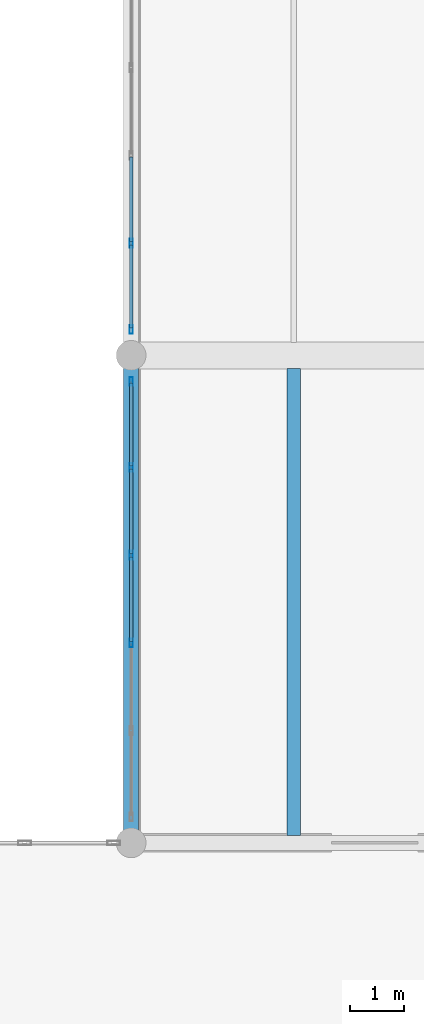
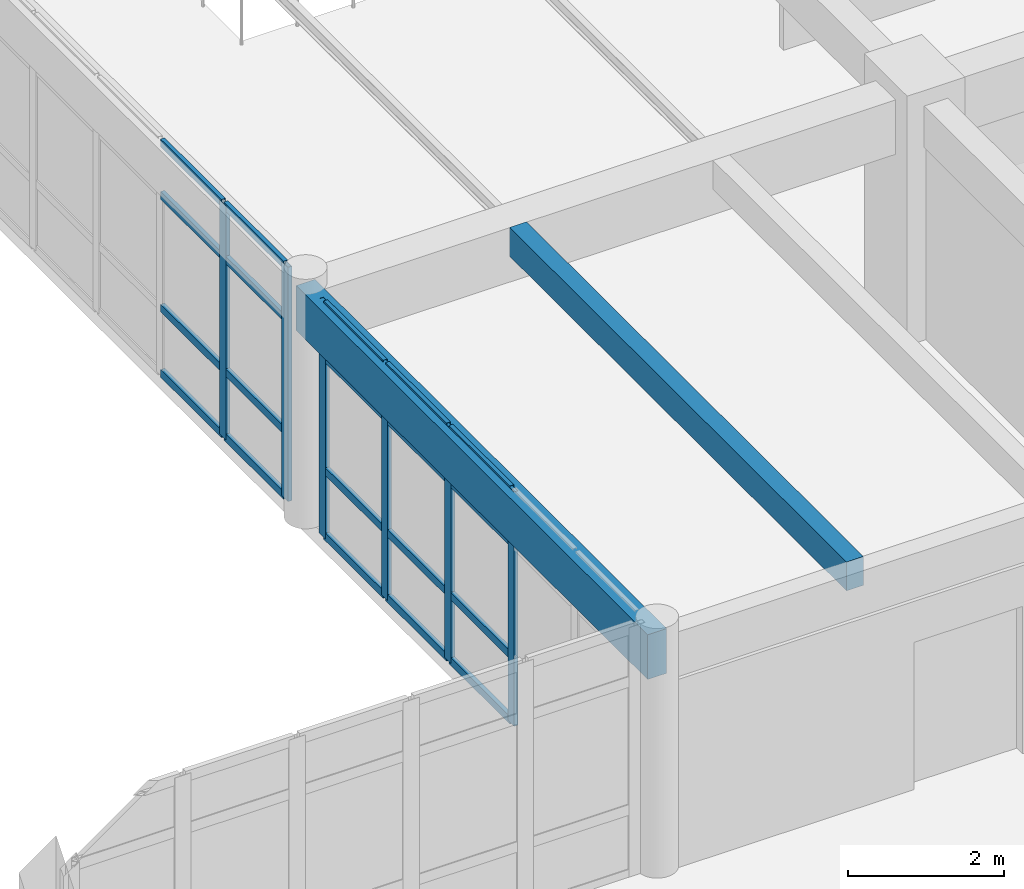
# One storey, part 28 of 156: 26 members, 2 beams, 2 elements without a shape of their own.
"""IFC4 building model written with IfcOpenShell, lengths in metres."""

import ifcopenshell
import ifcopenshell.guid

model = None  # the IFC model being written
_history = None  # IfcOwnerHistory: only IFC2X3 demands one
_inside = {}  # id of a spatial element -> (the spatial element, [elements in it])
_under = {}  # id of a project, library or spatial element -> (it, [spatial elements below it])
_declared = {}  # id of a project -> (the project, [libraries it declares])
_typed = {}  # id of a type object -> (the type object, [elements of that type])
_made_of = {}  # id of a material, layer set ... -> (it, [elements and type objects made of it])


def new_model(schema):
    """Start an empty IFC model of exactly this schema.

    Asked for "IFC4X3", IfcOpenShell would pick the latest addendum, in which some entities
    have other attributes; the version numbers below select the first issue.
    IFC2X3 requires an IfcOwnerHistory on every rooted entity: one is made here for all.
    """
    global model, _history
    if schema == "IFC4X3":
        model = ifcopenshell.file(schema_version=(4, 3, 0, 0))
    else:
        model = ifcopenshell.file(schema=schema)
    _inside.clear()
    _under.clear()
    _declared.clear()
    _typed.clear()
    _made_of.clear()
    _history = None
    if model.schema == "IFC2X3":
        org = make("IfcOrganization", Name="unknown")
        user = make(
            "IfcPersonAndOrganization",
            ThePerson=make("IfcPerson", FamilyName="unknown"),
            TheOrganization=org,
        )
        app = make(
            "IfcApplication",
            ApplicationDeveloper=org,
            Version="unknown",
            ApplicationFullName="unknown",
            ApplicationIdentifier="unknown",
        )
        _history = make(
            "IfcOwnerHistory",
            OwningUser=user,
            OwningApplication=app,
            ChangeAction="ADDED",
            CreationDate=0,
        )
    return model


def make(cls, **values):
    """One entity of the class cls with the attributes given. An attribute that is None is left unset."""
    return model.create_entity(
        cls, **{name: value for name, value in values.items() if value is not None}
    )


def rooted(cls, **values):
    """An entity with a GlobalId (a new one), such as an element, a storey or a relation."""
    return make(cls, GlobalId=ifcopenshell.guid.new(), OwnerHistory=_history, **values)


def si_unit(unit_type, name, prefix=None):
    """IfcSIUnit, for example si_unit("LENGTHUNIT", "METRE", prefix="MILLI")."""
    return make("IfcSIUnit", UnitType=unit_type, Prefix=prefix, Name=name)


def assignment(units):
    """IfcUnitAssignment: the units of a project."""
    return None if units is None else make("IfcUnitAssignment", Units=units)


def point(xyz):
    """IfcCartesianPoint."""
    return None if xyz is None else make("IfcCartesianPoint", Coordinates=xyz)


def direction(xyz):
    """IfcDirection."""
    return None if xyz is None else make("IfcDirection", DirectionRatios=xyz)


def frame(location, z_axis=None, x_axis=None):
    """IfcAxis2Placement3D, a coordinate frame: its origin and axes. An axis left out is left unset."""
    return make(
        "IfcAxis2Placement3D",
        Location=point(location),
        Axis=direction(z_axis),
        RefDirection=direction(x_axis),
    )


def frame_2d(location, x_axis=None):
    """IfcAxis2Placement2D, a coordinate frame in the plane: its origin and x axis."""
    return make(
        "IfcAxis2Placement2D", Location=point(location), RefDirection=direction(x_axis)
    )


def origin():
    """The frame at (0, 0, 0) with its axes left unset."""
    return frame((0.0, 0.0, 0.0))


def origin_2d():
    """The frame at (0, 0) in the plane with its x axis left unset."""
    return frame_2d((0.0, 0.0))


def place(relative_to, where):
    """IfcLocalPlacement: puts the frame where relative to a parent placement (None: the world)."""
    return make(
        "IfcLocalPlacement", PlacementRelTo=relative_to, RelativePlacement=where
    )


def context(
    kind, dimensions, precision=None, world=None, true_north=None, identifier=None
):
    """IfcGeometricRepresentationContext, for example the 3D "Model" context."""
    return make(
        "IfcGeometricRepresentationContext",
        ContextIdentifier=identifier,
        ContextType=kind,
        CoordinateSpaceDimension=dimensions,
        Precision=precision,
        WorldCoordinateSystem=world,
        TrueNorth=true_north,
    )


def subcontext(parent, identifier, kind, view, scale=None):
    """IfcGeometricRepresentationSubContext, for example "Body" below "Model"."""
    return make(
        "IfcGeometricRepresentationSubContext",
        ContextIdentifier=identifier,
        ContextType=kind,
        ParentContext=parent,
        TargetScale=scale,
        TargetView=view,
    )


def project(units=None, contexts=None):
    """IfcProject with its units and contexts."""
    return rooted(
        "IfcProject",
        Name="project",
        RepresentationContexts=contexts,
        UnitsInContext=assignment(units),
    )


def spatial(cls, under=None, at=None, **own):
    """A site, building, storey or space (cls), placed at a placement, below another one or the project."""
    s = rooted(cls, ObjectPlacement=at, **own)
    if under is not None:
        _under.setdefault(under.id(), (under, []))[1].append(s)
    return s


def profile(cls, at=None, kind="AREA", **sizes):
    """A parametric profile (cls). Its sizes go by their IFC names, for example OverallWidth=200.0."""
    return make(cls, ProfileType=kind, Position=at, **sizes)


def rectangle(**sizes):
    """IfcRectangleProfileDef."""
    return profile("IfcRectangleProfileDef", **sizes)


def hollow_rectangle(**sizes):
    """IfcRectangleHollowProfileDef."""
    return profile("IfcRectangleHollowProfileDef", **sizes)


def extrude(swept, where, along, depth):
    """IfcExtrudedAreaSolid: the profile swept, set in the frame where, extruded along a direction by depth."""
    return make(
        "IfcExtrudedAreaSolid",
        SweptArea=swept,
        Position=where,
        ExtrudedDirection=direction(along),
        Depth=depth,
    )


def shape(context_of_items, identifier, shape_type, items):
    """IfcShapeRepresentation: the items that make up one representation, for example the "Body"."""
    return make(
        "IfcShapeRepresentation",
        ContextOfItems=context_of_items,
        RepresentationIdentifier=identifier,
        RepresentationType=shape_type,
        Items=items,
    )


def material(Name=None, Category=None):
    """IfcMaterial."""
    return make("IfcMaterial", Name=Name, Category=Category)


def layer(
    of_material, thickness, ventilated=None, Name=None, Category=None, Priority=None
):
    """IfcMaterialLayer: one layer of a wall or slab, of a material (None: an air gap)."""
    return make(
        "IfcMaterialLayer",
        Material=of_material,
        LayerThickness=thickness,
        IsVentilated=ventilated,
        Name=Name,
        Category=Category,
        Priority=Priority,
    )


def layer_set(layers, Name=None):
    """IfcMaterialLayerSet."""
    return make("IfcMaterialLayerSet", MaterialLayers=layers, LayerSetName=Name)


def material_profile(
    of_material, cross_section, Name=None, Category=None, Priority=None
):
    """IfcMaterialProfile: a cross section and its material."""
    return make(
        "IfcMaterialProfile",
        Name=Name,
        Material=of_material,
        Profile=cross_section,
        Priority=Priority,
        Category=Category,
    )


def profile_set(profiles, Name=None, composite=None):
    """IfcMaterialProfileSet."""
    return make(
        "IfcMaterialProfileSet",
        Name=Name,
        MaterialProfiles=profiles,
        CompositeProfile=composite,
    )


def made_of(thing, what):
    """Note that an element or type object is made of a material, layer set ...; save() writes the relation."""
    if what is not None:
        _made_of.setdefault(what.id(), (what, []))[1].append(thing)
    return thing


def type_object(cls, material=None, **own):
    """A type object (cls), such as IfcWallType, which elements share."""
    return made_of(rooted(cls, **own), material)


def element(
    cls,
    number,
    at=None,
    inside=None,
    cuts=None,
    type_object=None,
    material=None,
    context=None,
    identifier="Body",
    shape_type=None,
    held_by="IfcProductDefinitionShape",
    body=None,
    shapes=None,
    **own,
):
    """One element of the class cls, such as IfcWall. Its Tag is "e" and its number.

    at: its placement. inside: the storey or other place that contains it. cuts: it is an
    opening in that element (IfcRelVoidsElement). A single representation is given by context,
    identifier, shape_type and body (its items); several are given by shapes. held_by: the class
    of the entity that holds the representations. save() writes the other relations.
    """
    e = rooted(cls, Tag="e%d" % number, ObjectPlacement=at, **own)
    if body is not None:
        shapes = [shape(context, identifier, shape_type, body)]
    if shapes is not None:
        e.Representation = make(held_by, Representations=shapes)
    if inside is not None:
        _inside.setdefault(inside.id(), (inside, []))[1].append(e)
    if cuts is not None:
        rooted(
            "IfcRelVoidsElement", RelatingBuildingElement=cuts, RelatedOpeningElement=e
        )
    if type_object is not None:
        _typed.setdefault(type_object.id(), (type_object, []))[1].append(e)
    return made_of(e, material)


def aggregate(whole, parts):
    """IfcRelAggregates: a whole, such as a stair, and the parts it consists of."""
    return rooted("IfcRelAggregates", RelatingObject=whole, RelatedObjects=parts)


def save(model, path):
    """Write the relations noted so far, then the file.

    IfcRelAggregates (storeys below a building ...), IfcRelContainedInSpatialStructure (elements
    in a storey), IfcRelDefinesByType, IfcRelAssociatesMaterial and IfcRelDeclares: one each for
    every whole, place, type object, material and project.
    """
    for whole, parts in _under.values():
        aggregate(whole, parts)
    for where, things in _inside.values():
        rooted(
            "IfcRelContainedInSpatialStructure",
            RelatedElements=things,
            RelatingStructure=where,
        )
    for kind, things in _typed.values():
        rooted("IfcRelDefinesByType", RelatedObjects=things, RelatingType=kind)
    for what, things in _made_of.values():
        rooted("IfcRelAssociatesMaterial", RelatedObjects=things, RelatingMaterial=what)
    for by, libraries in _declared.values():
        rooted("IfcRelDeclares", RelatingContext=by, RelatedDefinitions=libraries)
    model.write(path)


model = new_model("IFC4")

# Units and contexts
model_context = context("Model", 3, precision=1e-05, world=origin(), true_north=direction((0.0, 1.0)))
body_context = subcontext(model_context, "Body", "Model", "MODEL_VIEW")
ifc_project = project(units=[si_unit("LENGTHUNIT", "METRE"), si_unit("AREAUNIT", "SQUARE_METRE"), si_unit("VOLUMEUNIT", "CUBIC_METRE"), si_unit("PLANEANGLEUNIT", "RADIAN"), si_unit("MASSUNIT", "GRAM", prefix="KILO")], contexts=[model_context])

# Site, building, storey
site_placement = place(None, origin())
site = spatial("IfcSite", under=ifc_project, at=site_placement, CompositionType="ELEMENT")
building_placement = place(site_placement, origin())
building = spatial("IfcBuilding", under=site, at=building_placement, Name="Ornek Quay Market", CompositionType="ELEMENT")
storey_placement = place(building_placement, frame((0.0, 0.0, 4.5)))
storey = spatial("IfcBuildingStorey", under=building, at=storey_placement, Name="L01", CompositionType="ELEMENT", Elevation=4.5)

# Beams
ifc_material_1 = material(Name="Concrete C35/45", Category="concrete")
ifc_material_profile_1 = material_profile(ifc_material_1, rectangle(XDim=0.25, YDim=0.449951171875, at=origin_2d()), Name="RC 250x450", Category="concrete")
ifc_profile_set_1 = profile_set([ifc_material_profile_1], Name="Concrete C35/45")
beam_type_1 = type_object("IfcBeamType", Name="BM-SEC-250x450", PredefinedType="JOIST", material=ifc_profile_set_1)
beam_1_placement = place(storey_placement, frame((111.0, 29.132080078125, 3.43505859375), z_axis=(0.0, 1.0, 0.0), x_axis=(-1.0, 0.0, 0.0)))
element("IfcBeam", 1, at=beam_1_placement, inside=storey, type_object=beam_type_1, Name="Secondary joist B-SC3-025", PredefinedType="JOIST", context=body_context, shape_type="SweptSolid", body=[
    extrude(rectangle(XDim=0.25, YDim=0.449951171875, at=origin_2d()), origin(), (0.0, 0.0, 1.0), 8.6259765625),
])
ifc_material_profile_2 = material_profile(ifc_material_1, rectangle(XDim=0.280029296875, YDim=0.699951171875, at=origin_2d()), Name="RC 280x700", Category="concrete")
ifc_profile_set_2 = profile_set([ifc_material_profile_2], Name="Concrete C35/45")
beam_type_2 = type_object("IfcBeamType", Name="BM-SPN-280x700", PredefinedType="SPANDREL", material=ifc_profile_set_2)
beam_2_placement = place(storey_placement, frame((108.0, 29.0, 3.31005859375), z_axis=(0.0, 1.0, 0.0), x_axis=(-1.0, 0.0, 0.0)))
element("IfcBeam", 2, at=beam_2_placement, inside=storey, type_object=beam_type_2, Name="Primary beam B-SP2-073", PredefinedType="SPANDREL", context=body_context, shape_type="SweptSolid", body=[
    extrude(rectangle(XDim=0.280029296875, YDim=0.699951171875, at=origin_2d()), origin(), (0.0, 0.0, 1.0), 9.0),
])

# Curtain wall, members
ifc_material_2 = material(Name="Anodised bronze aluminium and triple low-e glass", Category="aluminium")
ifc_layer = layer(ifc_material_2, 0.139892578125, Name="Anodised bronze aluminium and triple low-e glass", Category="aluminium")
ifc_layer_set = layer_set([ifc_layer], Name="Anodised bronze aluminium and triple low-e glass")
curtain_wall_type = type_object("IfcCurtainWallType", Name="CW-GALLERY-INT", PredefinedType="USERDEFINED", material=ifc_layer_set)
curtain_wall_1_placement = place(storey_placement, origin())
curtain_wall_1 = element("IfcCurtainWall", 3, at=curtain_wall_1_placement, inside=storey, type_object=curtain_wall_type, Name="Curtain wall CW-103", ObjectType="CURTAIN WALL", PredefinedType="USERDEFINED")
ifc_material_3 = material(Name="Anodised aluminium 6063-T6", Category="aluminium")
ifc_material_profile_3 = material_profile(ifc_material_3, hollow_rectangle(XDim=0.06005859375, YDim=0.159912109375, WallThickness=0.00390625, at=origin_2d()), Name="CW-MUL-60x160", Category="aluminium")
ifc_profile_set_3 = profile_set([ifc_material_profile_3], Name="Anodised aluminium 6063-T6")
member_type_1 = type_object("IfcMemberType", Name="CW-MUL-60x160", PredefinedType="MULLION", material=ifc_profile_set_3)
member_1_placement = place(storey_placement, frame((108.0, 32.68994140625, 0.0), z_axis=(0.0, 0.0, 1.0), x_axis=(-1.0, 0.0, 0.0)))
member_1 = element("IfcMember", 4, at=member_1_placement, type_object=member_type_1, Name="CW-103 mullion 3", PredefinedType="MULLION", context=body_context, shape_type="SweptSolid", body=[
    extrude(hollow_rectangle(XDim=0.06005859375, YDim=0.159912109375, WallThickness=0.00390625, at=origin_2d()), origin(), (0.0, 0.0, 1.0), 3.659912109375),
])
member_2_placement = place(storey_placement, frame((108.0, 34.31005859375, 0.0), z_axis=(0.0, 0.0, 1.0), x_axis=(-1.0, 0.0, 0.0)))
member_2 = element("IfcMember", 5, at=member_2_placement, type_object=member_type_1, Name="CW-103 mullion 4", PredefinedType="MULLION", context=body_context, shape_type="SweptSolid", body=[
    extrude(hollow_rectangle(XDim=0.06005859375, YDim=0.159912109375, WallThickness=0.00390625, at=origin_2d()), origin(), (0.0, 0.0, 1.0), 3.659912109375),
])
member_3_placement = place(storey_placement, frame((108.0, 35.929931640625, 0.0), z_axis=(0.0, 0.0, 1.0), x_axis=(-1.0, 0.0, 0.0)))
member_3 = element("IfcMember", 6, at=member_3_placement, type_object=member_type_1, Name="CW-103 mullion 5", PredefinedType="MULLION", context=body_context, shape_type="SweptSolid", body=[
    extrude(hollow_rectangle(XDim=0.06005859375, YDim=0.159912109375, WallThickness=0.00390625, at=origin_2d()), origin(), (0.0, 0.0, 1.0), 3.659912109375),
])
member_4_placement = place(storey_placement, frame((108.0, 37.52001953125, 0.0), z_axis=(0.0, 0.0, 1.0), x_axis=(-1.0, 0.0, 0.0)))
member_4 = element("IfcMember", 7, at=member_4_placement, type_object=member_type_1, Name="CW-103 mullion 6", PredefinedType="MULLION", context=body_context, shape_type="SweptSolid", body=[
    extrude(hollow_rectangle(XDim=0.06005859375, YDim=0.159912109375, WallThickness=0.00390625, at=origin_2d()), origin(), (0.0, 0.0, 1.0), 3.659912109375),
])

curtain_wall_2_placement = place(storey_placement, origin())
curtain_wall_2 = element("IfcCurtainWall", 8, at=curtain_wall_2_placement, inside=storey, type_object=curtain_wall_type, Name="Curtain wall CW-104", ObjectType="CURTAIN WALL", PredefinedType="USERDEFINED")
member_5_placement = place(storey_placement, frame((108.0, 38.47998046875, 0.0), z_axis=(0.0, 0.0, 1.0), x_axis=(-1.0, 0.0, 0.0)))
member_5 = element("IfcMember", 9, at=member_5_placement, type_object=member_type_1, Name="CW-104 mullion 1", PredefinedType="MULLION", context=body_context, shape_type="SweptSolid", body=[
    extrude(hollow_rectangle(XDim=0.06005859375, YDim=0.159912109375, WallThickness=0.00390625, at=origin_2d()), origin(), (0.0, 0.0, 1.0), 3.659912109375),
])
member_6_placement = place(storey_placement, frame((108.0, 40.070068359375, 0.0), z_axis=(0.0, 0.0, 1.0), x_axis=(-1.0, 0.0, 0.0)))
member_6 = element("IfcMember", 10, at=member_6_placement, type_object=member_type_1, Name="CW-104 mullion 2", PredefinedType="MULLION", context=body_context, shape_type="SweptSolid", body=[
    extrude(hollow_rectangle(XDim=0.06005859375, YDim=0.159912109375, WallThickness=0.00390625, at=origin_2d()), origin(), (0.0, 0.0, 1.0), 3.659912109375),
])

# Member
ifc_material_profile_4 = material_profile(ifc_material_3, hollow_rectangle(XDim=0.06005859375, YDim=0.1201171875, WallThickness=0.00390625, at=origin_2d()), Name="CW-TRN-60x120", Category="aluminium")
ifc_profile_set_4 = profile_set([ifc_material_profile_4], Name="Anodised aluminium 6063-T6")
member_type_2 = type_object("IfcMemberType", Name="CW-TRN-60x120", PredefinedType="USERDEFINED", material=ifc_profile_set_4)
member_7_placement = place(storey_placement, frame((108.0, 32.719970703125, 0.030029296875), z_axis=(0.0, 1.0, 0.0), x_axis=(-1.0, 0.0, 0.0)))
member_7 = element("IfcMember", 11, at=member_7_placement, type_object=member_type_2, Name="CW-103 transom 3.1", ObjectType="TRANSOM", PredefinedType="USERDEFINED", context=body_context, shape_type="SweptSolid", body=[
    extrude(hollow_rectangle(XDim=0.06005859375, YDim=0.1201171875, WallThickness=0.00390625, at=origin_2d()), origin(), (0.0, 0.0, 1.0), 1.56005859375),
])

member_8_placement = place(storey_placement, frame((108.0, 32.719970703125, 1.050048828125), z_axis=(0.0, 1.0, 0.0), x_axis=(-1.0, 0.0, 0.0)))
member_8 = element("IfcMember", 12, at=member_8_placement, type_object=member_type_2, Name="CW-103 transom 3.2", ObjectType="TRANSOM", PredefinedType="USERDEFINED", context=body_context, shape_type="SweptSolid", body=[
    extrude(hollow_rectangle(XDim=0.06005859375, YDim=0.1201171875, WallThickness=0.00390625, at=origin_2d()), origin(), (0.0, 0.0, 1.0), 1.56005859375),
])

member_9_placement = place(storey_placement, frame((108.0, 32.719970703125, 2.81005859375), z_axis=(0.0, 1.0, 0.0), x_axis=(-1.0, 0.0, 0.0)))
member_9 = element("IfcMember", 13, at=member_9_placement, type_object=member_type_2, Name="CW-103 transom 3.3", ObjectType="TRANSOM", PredefinedType="USERDEFINED", context=body_context, shape_type="SweptSolid", body=[
    extrude(hollow_rectangle(XDim=0.06005859375, YDim=0.1201171875, WallThickness=0.00390625, at=origin_2d()), origin(), (0.0, 0.0, 1.0), 1.56005859375),
])

member_10_placement = place(storey_placement, frame((108.0, 32.719970703125, 3.6298828125), z_axis=(0.0, 1.0, 0.0), x_axis=(-1.0, 0.0, 0.0)))
member_10 = element("IfcMember", 14, at=member_10_placement, type_object=member_type_2, Name="CW-103 transom 3.4", ObjectType="TRANSOM", PredefinedType="USERDEFINED", context=body_context, shape_type="SweptSolid", body=[
    extrude(hollow_rectangle(XDim=0.06005859375, YDim=0.1201171875, WallThickness=0.00390625, at=origin_2d()), origin(), (0.0, 0.0, 1.0), 1.56005859375),
])

member_11_placement = place(storey_placement, frame((108.0, 34.340087890625, 0.030029296875), z_axis=(0.0, 1.0, 0.0), x_axis=(-1.0, 0.0, 0.0)))
member_11 = element("IfcMember", 15, at=member_11_placement, type_object=member_type_2, Name="CW-103 transom 4.1", ObjectType="TRANSOM", PredefinedType="USERDEFINED", context=body_context, shape_type="SweptSolid", body=[
    extrude(hollow_rectangle(XDim=0.06005859375, YDim=0.1201171875, WallThickness=0.00390625, at=origin_2d()), origin(), (0.0, 0.0, 1.0), 1.559814453125),
])

member_12_placement = place(storey_placement, frame((108.0, 34.340087890625, 1.050048828125), z_axis=(0.0, 1.0, 0.0), x_axis=(-1.0, 0.0, 0.0)))
member_12 = element("IfcMember", 16, at=member_12_placement, type_object=member_type_2, Name="CW-103 transom 4.2", ObjectType="TRANSOM", PredefinedType="USERDEFINED", context=body_context, shape_type="SweptSolid", body=[
    extrude(hollow_rectangle(XDim=0.06005859375, YDim=0.1201171875, WallThickness=0.00390625, at=origin_2d()), origin(), (0.0, 0.0, 1.0), 1.559814453125),
])

member_13_placement = place(storey_placement, frame((108.0, 34.340087890625, 2.81005859375), z_axis=(0.0, 1.0, 0.0), x_axis=(-1.0, 0.0, 0.0)))
member_13 = element("IfcMember", 17, at=member_13_placement, type_object=member_type_2, Name="CW-103 transom 4.3", ObjectType="TRANSOM", PredefinedType="USERDEFINED", context=body_context, shape_type="SweptSolid", body=[
    extrude(hollow_rectangle(XDim=0.06005859375, YDim=0.1201171875, WallThickness=0.00390625, at=origin_2d()), origin(), (0.0, 0.0, 1.0), 1.559814453125),
])

member_14_placement = place(storey_placement, frame((108.0, 34.340087890625, 3.6298828125), z_axis=(0.0, 1.0, 0.0), x_axis=(-1.0, 0.0, 0.0)))
member_14 = element("IfcMember", 18, at=member_14_placement, type_object=member_type_2, Name="CW-103 transom 4.4", ObjectType="TRANSOM", PredefinedType="USERDEFINED", context=body_context, shape_type="SweptSolid", body=[
    extrude(hollow_rectangle(XDim=0.06005859375, YDim=0.1201171875, WallThickness=0.00390625, at=origin_2d()), origin(), (0.0, 0.0, 1.0), 1.559814453125),
])

member_15_placement = place(storey_placement, frame((108.0, 35.9599609375, 0.030029296875), z_axis=(0.0, 1.0, 0.0), x_axis=(-1.0, 0.0, 0.0)))
member_15 = element("IfcMember", 19, at=member_15_placement, type_object=member_type_2, Name="CW-103 transom 5.1", ObjectType="TRANSOM", PredefinedType="USERDEFINED", context=body_context, shape_type="SweptSolid", body=[
    extrude(hollow_rectangle(XDim=0.06005859375, YDim=0.1201171875, WallThickness=0.00390625, at=origin_2d()), origin(), (0.0, 0.0, 1.0), 1.530029296875),
])

member_16_placement = place(storey_placement, frame((108.0, 35.9599609375, 1.050048828125), z_axis=(0.0, 1.0, 0.0), x_axis=(-1.0, 0.0, 0.0)))
member_16 = element("IfcMember", 20, at=member_16_placement, type_object=member_type_2, Name="CW-103 transom 5.2", ObjectType="TRANSOM", PredefinedType="USERDEFINED", context=body_context, shape_type="SweptSolid", body=[
    extrude(hollow_rectangle(XDim=0.06005859375, YDim=0.1201171875, WallThickness=0.00390625, at=origin_2d()), origin(), (0.0, 0.0, 1.0), 1.530029296875),
])

member_17_placement = place(storey_placement, frame((108.0, 35.9599609375, 2.81005859375), z_axis=(0.0, 1.0, 0.0), x_axis=(-1.0, 0.0, 0.0)))
member_17 = element("IfcMember", 21, at=member_17_placement, type_object=member_type_2, Name="CW-103 transom 5.3", ObjectType="TRANSOM", PredefinedType="USERDEFINED", context=body_context, shape_type="SweptSolid", body=[
    extrude(hollow_rectangle(XDim=0.06005859375, YDim=0.1201171875, WallThickness=0.00390625, at=origin_2d()), origin(), (0.0, 0.0, 1.0), 1.530029296875),
])

member_18_placement = place(storey_placement, frame((108.0, 35.9599609375, 3.6298828125), z_axis=(0.0, 1.0, 0.0), x_axis=(-1.0, 0.0, 0.0)))
member_18 = element("IfcMember", 22, at=member_18_placement, type_object=member_type_2, Name="CW-103 transom 5.4", ObjectType="TRANSOM", PredefinedType="USERDEFINED", context=body_context, shape_type="SweptSolid", body=[
    extrude(hollow_rectangle(XDim=0.06005859375, YDim=0.1201171875, WallThickness=0.00390625, at=origin_2d()), origin(), (0.0, 0.0, 1.0), 1.530029296875),
])

aggregate(curtain_wall_1, [member_1, member_2, member_3, member_4, member_7, member_8, member_9, member_10, member_11, member_12, member_13, member_14, member_15, member_16, member_17, member_18])

member_19_placement = place(storey_placement, frame((108.0, 38.510009765625, 0.030029296875), z_axis=(0.0, 1.0, 0.0), x_axis=(-1.0, 0.0, 0.0)))
member_19 = element("IfcMember", 23, at=member_19_placement, type_object=member_type_2, Name="CW-104 transom 1.1", ObjectType="TRANSOM", PredefinedType="USERDEFINED", context=body_context, shape_type="SweptSolid", body=[
    extrude(hollow_rectangle(XDim=0.06005859375, YDim=0.1201171875, WallThickness=0.00390625, at=origin_2d()), origin(), (0.0, 0.0, 1.0), 1.530029296875),
])

member_20_placement = place(storey_placement, frame((108.0, 38.510009765625, 1.050048828125), z_axis=(0.0, 1.0, 0.0), x_axis=(-1.0, 0.0, 0.0)))
member_20 = element("IfcMember", 24, at=member_20_placement, type_object=member_type_2, Name="CW-104 transom 1.2", ObjectType="TRANSOM", PredefinedType="USERDEFINED", context=body_context, shape_type="SweptSolid", body=[
    extrude(hollow_rectangle(XDim=0.06005859375, YDim=0.1201171875, WallThickness=0.00390625, at=origin_2d()), origin(), (0.0, 0.0, 1.0), 1.530029296875),
])

member_21_placement = place(storey_placement, frame((108.0, 38.510009765625, 2.81005859375), z_axis=(0.0, 1.0, 0.0), x_axis=(-1.0, 0.0, 0.0)))
member_21 = element("IfcMember", 25, at=member_21_placement, type_object=member_type_2, Name="CW-104 transom 1.3", ObjectType="TRANSOM", PredefinedType="USERDEFINED", context=body_context, shape_type="SweptSolid", body=[
    extrude(hollow_rectangle(XDim=0.06005859375, YDim=0.1201171875, WallThickness=0.00390625, at=origin_2d()), origin(), (0.0, 0.0, 1.0), 1.530029296875),
])

member_22_placement = place(storey_placement, frame((108.0, 38.510009765625, 3.6298828125), z_axis=(0.0, 1.0, 0.0), x_axis=(-1.0, 0.0, 0.0)))
member_22 = element("IfcMember", 26, at=member_22_placement, type_object=member_type_2, Name="CW-104 transom 1.4", ObjectType="TRANSOM", PredefinedType="USERDEFINED", context=body_context, shape_type="SweptSolid", body=[
    extrude(hollow_rectangle(XDim=0.06005859375, YDim=0.1201171875, WallThickness=0.00390625, at=origin_2d()), origin(), (0.0, 0.0, 1.0), 1.530029296875),
])

member_23_placement = place(storey_placement, frame((108.0, 40.10009765625, 0.030029296875), z_axis=(0.0, 1.0, 0.0), x_axis=(-1.0, 0.0, 0.0)))
member_23 = element("IfcMember", 27, at=member_23_placement, type_object=member_type_2, Name="CW-104 transom 2.1", ObjectType="TRANSOM", PredefinedType="USERDEFINED", context=body_context, shape_type="SweptSolid", body=[
    extrude(hollow_rectangle(XDim=0.06005859375, YDim=0.1201171875, WallThickness=0.00390625, at=origin_2d()), origin(), (0.0, 0.0, 1.0), 1.559814453125),
])

member_24_placement = place(storey_placement, frame((108.0, 40.10009765625, 1.050048828125), z_axis=(0.0, 1.0, 0.0), x_axis=(-1.0, 0.0, 0.0)))
member_24 = element("IfcMember", 28, at=member_24_placement, type_object=member_type_2, Name="CW-104 transom 2.2", ObjectType="TRANSOM", PredefinedType="USERDEFINED", context=body_context, shape_type="SweptSolid", body=[
    extrude(hollow_rectangle(XDim=0.06005859375, YDim=0.1201171875, WallThickness=0.00390625, at=origin_2d()), origin(), (0.0, 0.0, 1.0), 1.559814453125),
])

member_25_placement = place(storey_placement, frame((108.0, 40.10009765625, 2.81005859375), z_axis=(0.0, 1.0, 0.0), x_axis=(-1.0, 0.0, 0.0)))
member_25 = element("IfcMember", 29, at=member_25_placement, type_object=member_type_2, Name="CW-104 transom 2.3", ObjectType="TRANSOM", PredefinedType="USERDEFINED", context=body_context, shape_type="SweptSolid", body=[
    extrude(hollow_rectangle(XDim=0.06005859375, YDim=0.1201171875, WallThickness=0.00390625, at=origin_2d()), origin(), (0.0, 0.0, 1.0), 1.559814453125),
])

member_26_placement = place(storey_placement, frame((108.0, 40.10009765625, 3.6298828125), z_axis=(0.0, 1.0, 0.0), x_axis=(-1.0, 0.0, 0.0)))
member_26 = element("IfcMember", 30, at=member_26_placement, type_object=member_type_2, Name="CW-104 transom 2.4", ObjectType="TRANSOM", PredefinedType="USERDEFINED", context=body_context, shape_type="SweptSolid", body=[
    extrude(hollow_rectangle(XDim=0.06005859375, YDim=0.1201171875, WallThickness=0.00390625, at=origin_2d()), origin(), (0.0, 0.0, 1.0), 1.559814453125),
])

aggregate(curtain_wall_2, [member_5, member_6, member_19, member_20, member_21, member_22, member_23, member_24, member_25, member_26])

save(model, "model.ifc")
